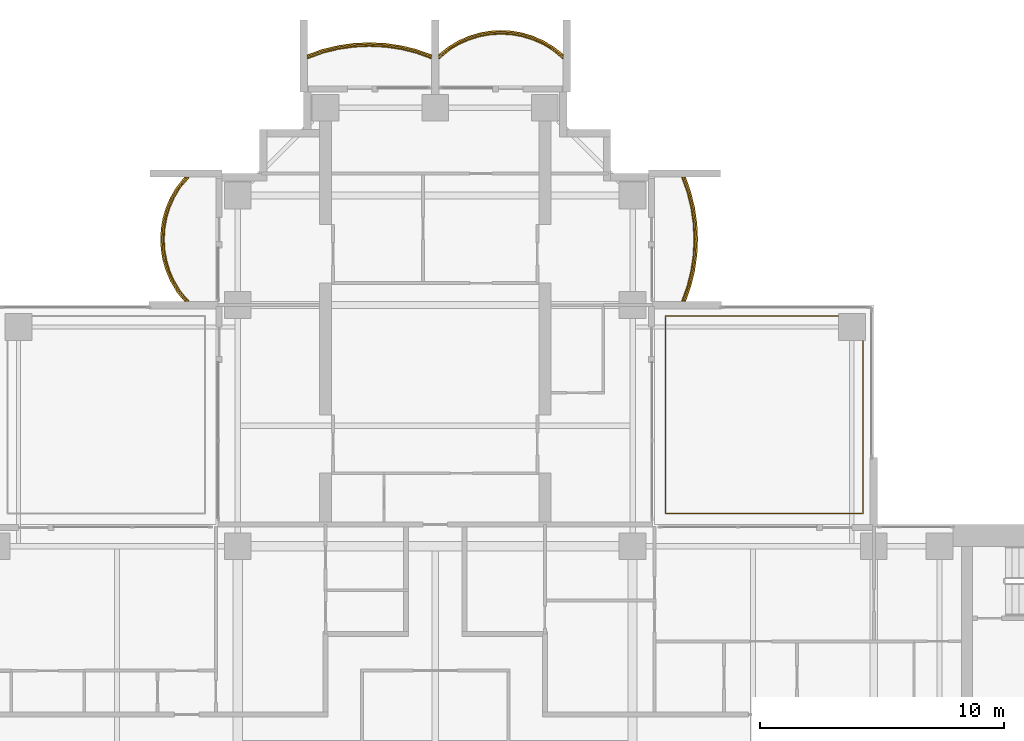
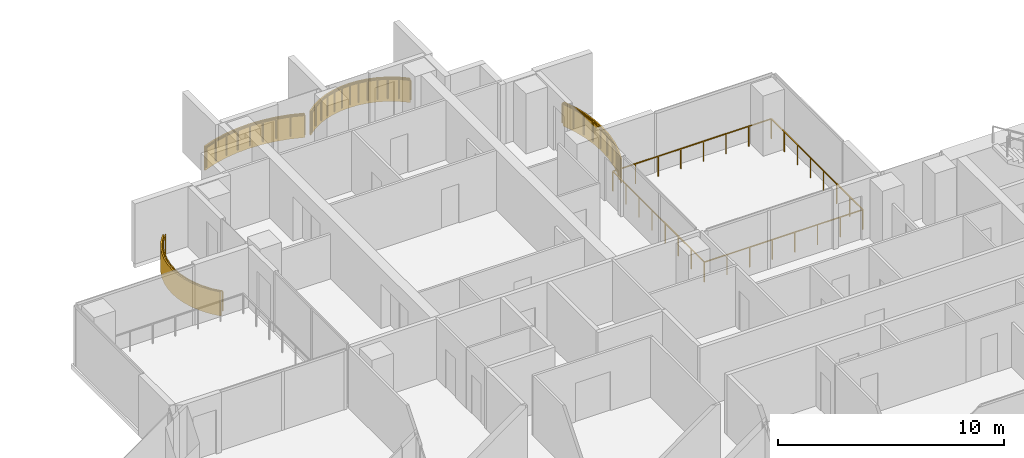
# One storey, part 18 of 18: 5 railings, 4 coverings.
"""IFC4 building model written with IfcOpenShell, lengths in metres."""

from ifc_helpers import new_model, si_unit, direction, frame, origin, origin_2d, place, context, subcontext, project, spatial, polyline, rectangle, outline, extrude, material, layer, layer_set, type_object, element, save


model = new_model("IFC4")

# Units and contexts
model_context = context("Model", 3, precision=1e-05, world=origin(), true_north=direction((0.0, 1.0)))
body_context = subcontext(model_context, "Body", "Model", "MODEL_VIEW")
ifc_project = project(units=[si_unit("LENGTHUNIT", "METRE"), si_unit("AREAUNIT", "SQUARE_METRE"), si_unit("VOLUMEUNIT", "CUBIC_METRE"), si_unit("PLANEANGLEUNIT", "RADIAN"), si_unit("MASSUNIT", "GRAM", prefix="KILO")], contexts=[model_context])

# Site, building, storey
site_placement = place(None, origin())
site = spatial("IfcSite", under=ifc_project, at=site_placement, CompositionType="ELEMENT")
building_placement = place(site_placement, origin())
building = spatial("IfcBuilding", under=site, at=building_placement, Name="Perihelion Cross Residences", CompositionType="ELEMENT")
storey_placement = place(building_placement, frame((0.0, 0.0, 130.39990234375)))
storey = spatial("IfcBuildingStorey", under=building, at=storey_placement, Name="L31", CompositionType="ELEMENT", Elevation=130.39990234375)

# Coverings
ifc_material_1 = material(Name="Bronze anodised aluminium", Category="aluminium")
ifc_layer = layer(ifc_material_1, 0.070068359375)
ifc_layer_set = layer_set([ifc_layer], Name="Balcony fascia 1300")
covering_type = type_object("IfcCoveringType", Name="Balcony fascia 1300", PredefinedType="CLADDING", material=ifc_layer_set)
covering_1_placement = place(storey_placement, frame((0.0, 0.0, -0.199951171875)))
element("IfcCovering", 1, at=covering_1_placement, inside=storey, type_object=covering_type, Name="Fascia BF1 L31 north side east bay 2", PredefinedType="CLADDING", context=body_context, shape_type="SweptSolid", body=[
    extrude(outline(polyline([(10.49072265625, 18.767578125), (10.647216796875, 19.411865234375), (10.739501953125, 20.055908203125), (10.77001953125, 20.699951171875), (10.739501953125, 21.34423828125), (10.647216796875, 21.98828125), (10.49072265625, 22.63232421875), (10.274169921875, 23.25), (10.199951171875, 23.25), (10.423583984375, 22.612548828125), (10.57861328125, 21.97509765625), (10.669921875, 21.33740234375), (10.699951171875, 20.699951171875), (10.669921875, 20.0625), (10.57861328125, 19.425048828125), (10.423583984375, 18.78759765625), (10.199951171875, 18.14990234375), (10.274169921875, 18.14990234375), (10.49072265625, 18.767578125)])), origin(), (0.0, 0.0, 1.0), 1.300048828125),
])
covering_2_placement = place(storey_placement, frame((0.0, 0.0, -0.199951171875)))
element("IfcCovering", 2, at=covering_2_placement, inside=storey, type_object=covering_type, Name="Fascia BF1 L31 north tip north bay 1", PredefinedType="CLADDING", context=body_context, shape_type="SweptSolid", body=[
    extrude(outline(polyline([(4.86474609375, 28.59765625), (4.431884765625, 28.85498046875), (3.998779296875, 29.04248046875), (3.56591796875, 29.170654296875), (3.133056640625, 29.245361328125), (2.699951171875, 29.27001953125), (2.26708984375, 29.245361328125), (1.833984375, 29.170654296875), (1.401123046875, 29.04248046875), (0.96826171875, 28.85498046875), (0.53515625, 28.59765625), (0.14990234375, 28.28955078125), (0.14990234375, 28.199951171875), (0.574951171875, 28.5400390625), (1.0, 28.792724609375), (1.425048828125, 28.9765625), (1.85009765625, 29.1025390625), (2.27490234375, 29.17578125), (2.699951171875, 29.199951171875), (3.125, 29.17578125), (3.550048828125, 29.1025390625), (3.97509765625, 28.9765625), (4.39990234375, 28.792724609375), (4.824951171875, 28.5400390625), (5.25, 28.199951171875), (5.25, 28.28955078125), (4.86474609375, 28.59765625)])), origin(), (0.0, 0.0, 1.0), 1.300048828125),
])
covering_3_placement = place(storey_placement, frame((0.0, 0.0, -0.199951171875)))
element("IfcCovering", 3, at=covering_3_placement, inside=storey, type_object=covering_type, Name="Fascia BF1 L31 north tip north bay 2", PredefinedType="CLADDING", context=body_context, shape_type="SweptSolid", body=[
    extrude(outline(polyline([(-0.767578125, 28.49072265625), (-1.411865234375, 28.647216796875), (-2.055908203125, 28.739501953125), (-2.699951171875, 28.77001953125), (-3.34423828125, 28.739501953125), (-3.98828125, 28.647216796875), (-4.63232421875, 28.49072265625), (-5.25, 28.274169921875), (-5.25, 28.199951171875), (-4.612548828125, 28.423583984375), (-3.97509765625, 28.57861328125), (-3.33740234375, 28.669921875), (-2.699951171875, 28.699951171875), (-2.0625, 28.669921875), (-1.425048828125, 28.57861328125), (-0.78759765625, 28.423583984375), (-0.14990234375, 28.199951171875), (-0.14990234375, 28.274169921875), (-0.767578125, 28.49072265625)])), origin(), (0.0, 0.0, 1.0), 1.300048828125),
])
covering_4_placement = place(storey_placement, frame((0.0, 0.0, -0.199951171875)))
element("IfcCovering", 4, at=covering_4_placement, inside=storey, type_object=covering_type, Name="Fascia BF1 L31 north side west bay 1", PredefinedType="CLADDING", context=body_context, shape_type="SweptSolid", body=[
    extrude(outline(polyline([(-10.59765625, 22.86474609375), (-10.85498046875, 22.431884765625), (-11.04248046875, 21.998779296875), (-11.170654296875, 21.56591796875), (-11.245361328125, 21.133056640625), (-11.27001953125, 20.699951171875), (-11.245361328125, 20.26708984375), (-11.170654296875, 19.833984375), (-11.04248046875, 19.401123046875), (-10.85498046875, 18.96826171875), (-10.59765625, 18.53515625), (-10.28955078125, 18.14990234375), (-10.199951171875, 18.14990234375), (-10.5400390625, 18.574951171875), (-10.792724609375, 19.0), (-10.9765625, 19.425048828125), (-11.1025390625, 19.85009765625), (-11.17578125, 20.27490234375), (-11.199951171875, 20.699951171875), (-11.17578125, 21.125), (-11.1025390625, 21.550048828125), (-10.9765625, 21.97509765625), (-10.792724609375, 22.39990234375), (-10.5400390625, 22.824951171875), (-10.199951171875, 23.25), (-10.28955078125, 23.25), (-10.59765625, 22.86474609375)])), origin(), (0.0, 0.0, 1.0), 1.300048828125),
])

# Railings
ifc_material_2 = material(Name="Bronze anodised aluminium", Category="aluminium")
railing_type = type_object("IfcRailingType", Name="Balcony guard 1100", PredefinedType="GUARDRAIL", material=ifc_material_2)
railing_1_placement = place(storey_placement, frame((10.139892578125, 18.175048828125, 0.0)))
element("IfcRailing", 5, at=railing_1_placement, inside=storey, type_object=railing_type, Name="Guard GU1 L31 north side east bay 2 balcony", PredefinedType="GUARDRAIL", context=body_context, shape_type="SweptSolid", body=[
    extrude(rectangle(XDim=0.048095703125, YDim=0.048095703125, at=origin_2d()), frame((0.0, 0.0, 1.076171875), z_axis=(0.342945217749, 0.939355405384, 0.0), x_axis=(-0.939355405384, 0.342945217749, 0.0)), (0.0, 0.0, 1.0), 0.652099609375),
    extrude(rectangle(XDim=0.048095703125, YDim=0.048095703125, at=origin_2d()), frame((0.2236328125, 0.612548828125, 1.076171875), z_axis=(0.236313594268, 0.971676841941, 0.0), x_axis=(-0.971676841941, 0.236313594268, 0.0)), (0.0, 0.0, 1.0), 0.656005859375),
    extrude(rectangle(XDim=0.048095703125, YDim=0.048095703125, at=origin_2d()), frame((0.378662109375, 1.25, 1.076171875), z_axis=(0.141792889142, 0.989896346386, 0.0), x_axis=(-0.989896346386, 0.141792889142, 0.0)), (0.0, 0.0, 1.0), 0.64404296875),
    extrude(rectangle(XDim=0.048095703125, YDim=0.048095703125, at=origin_2d()), frame((0.469970703125, 1.887451171875, 1.076171875), z_axis=(0.04705620296, 0.998892243319, 0.0), x_axis=(-0.998892243319, 0.04705620296, 0.0)), (0.0, 0.0, 1.0), 0.63818359375),
    extrude(rectangle(XDim=0.048095703125, YDim=0.048095703125, at=origin_2d()), frame((0.5, 2.52490234375, 1.076171875), z_axis=(-0.04705620296, 0.998892243319, 0.0), x_axis=(-0.998892243319, -0.04705620296, 0.0)), (0.0, 0.0, 1.0), 0.63818359375),
    extrude(rectangle(XDim=0.048095703125, YDim=0.048095703125, at=origin_2d()), frame((0.469970703125, 3.162353515625, 1.076171875), z_axis=(-0.141739694763, 0.989903964498, 0.0), x_axis=(-0.989903964498, -0.141739694763, 0.0)), (0.0, 0.0, 1.0), 0.644287109375),
    extrude(rectangle(XDim=0.048095703125, YDim=0.048095703125, at=origin_2d()), frame((0.378662109375, 3.800048828125, 1.076171875), z_axis=(-0.236313594268, 0.971676841941, 0.0), x_axis=(-0.971676841941, -0.236313594268, 0.0)), (0.0, 0.0, 1.0), 0.656005859375),
    extrude(rectangle(XDim=0.048095703125, YDim=0.048095703125, at=origin_2d()), frame((0.2236328125, 4.4375, 1.076171875), z_axis=(-0.342945217749, 0.939355405384, 0.0), x_axis=(-0.939355405384, -0.342945217749, 0.0)), (0.0, 0.0, 1.0), 0.652099609375),
    extrude(rectangle(XDim=0.0419921875, YDim=0.0419921875, at=origin_2d()), origin(), (0.0, 0.0, 1.0), 1.052001953125),
    extrude(rectangle(XDim=0.0419921875, YDim=0.0419921875, at=origin_2d()), frame((0.2236328125, 0.612548828125, 0.0)), (0.0, 0.0, 1.0), 1.052001953125),
    extrude(rectangle(XDim=0.0419921875, YDim=0.0419921875, at=origin_2d()), frame((0.378662109375, 1.25, 0.0)), (0.0, 0.0, 1.0), 1.052001953125),
    extrude(rectangle(XDim=0.0419921875, YDim=0.0419921875, at=origin_2d()), frame((0.469970703125, 1.887451171875, 0.0)), (0.0, 0.0, 1.0), 1.052001953125),
    extrude(rectangle(XDim=0.0419921875, YDim=0.0419921875, at=origin_2d()), frame((0.5, 2.52490234375, 0.0)), (0.0, 0.0, 1.0), 1.052001953125),
    extrude(rectangle(XDim=0.0419921875, YDim=0.0419921875, at=origin_2d()), frame((0.469970703125, 3.162353515625, 0.0)), (0.0, 0.0, 1.0), 1.052001953125),
    extrude(rectangle(XDim=0.0419921875, YDim=0.0419921875, at=origin_2d()), frame((0.378662109375, 3.800048828125, 0.0)), (0.0, 0.0, 1.0), 1.052001953125),
    extrude(rectangle(XDim=0.0419921875, YDim=0.0419921875, at=origin_2d()), frame((0.2236328125, 4.4375, 0.0)), (0.0, 0.0, 1.0), 1.052001953125),
    extrude(rectangle(XDim=0.0419921875, YDim=0.0419921875, at=origin_2d()), frame((0.0, 5.050048828125, 0.0)), (0.0, 0.0, 1.0), 1.052001953125),
])
railing_2_placement = place(storey_placement, frame((5.22509765625, 28.139892578125, 0.0)))
element("IfcRailing", 6, at=railing_2_placement, inside=storey, type_object=railing_type, Name="Guard GU1 L31 north tip north bay 1 balcony", PredefinedType="GUARDRAIL", context=body_context, shape_type="SweptSolid", body=[
    extrude(rectangle(XDim=0.048095703125, YDim=0.048095703125, at=origin_2d()), frame((0.0, 0.0, 1.076171875), z_axis=(-0.761973728849, 0.647607934281, 0.0), x_axis=(-0.647607934281, -0.761973728849, 0.0)), (0.0, 0.0, 1.0), 0.525146484375),
    extrude(rectangle(XDim=0.048095703125, YDim=0.048095703125, at=origin_2d()), frame((-0.400146484375, 0.340087890625, 1.076171875), z_axis=(-0.859576918062, 0.511006381501, 0.0), x_axis=(-0.511006381501, -0.859576918062, 0.0)), (0.0, 0.0, 1.0), 0.494384765625),
    extrude(rectangle(XDim=0.048095703125, YDim=0.048095703125, at=origin_2d()), frame((-0.8251953125, 0.5927734375, 1.076171875), z_axis=(-0.91755562531, 0.397607437634, 0.0), x_axis=(-0.397607437634, -0.91755562531, 0.0)), (0.0, 0.0, 1.0), 0.462890625),
    extrude(rectangle(XDim=0.048095703125, YDim=0.048095703125, at=origin_2d()), frame((-1.25, 0.77685546875, 1.076171875), z_axis=(-0.958925815697, 0.283656975924, 0.0), x_axis=(-0.283656975924, -0.958925815697, 0.0)), (0.0, 0.0, 1.0), 0.443359375),
    extrude(rectangle(XDim=0.048095703125, YDim=0.048095703125, at=origin_2d()), frame((-1.675048828125, 0.902587890625, 1.076171875), z_axis=(-0.985381583142, 0.17036177859, 0.0), x_axis=(-0.17036177859, -0.985381583142, 0.0)), (0.0, 0.0, 1.0), 0.431396484375),
    extrude(rectangle(XDim=0.048095703125, YDim=0.048095703125, at=origin_2d()), frame((-2.10009765625, 0.97607421875, 1.076171875), z_axis=(-0.9984195016, 0.056200523353, 0.0), x_axis=(-0.056200523353, -0.9984195016, 0.0)), (0.0, 0.0, 1.0), 0.42578125),
    extrude(rectangle(XDim=0.048095703125, YDim=0.048095703125, at=origin_2d()), frame((-2.525146484375, 1.0, 1.076171875), z_axis=(-0.9984195016, -0.056200523353, 0.0), x_axis=(0.056200523353, -0.9984195016, 0.0)), (0.0, 0.0, 1.0), 0.42578125),
    extrude(rectangle(XDim=0.048095703125, YDim=0.048095703125, at=origin_2d()), frame((-2.9501953125, 0.97607421875, 1.076171875), z_axis=(-0.985365142702, -0.170456843651, 0.0), x_axis=(0.170456843651, -0.985365142702, 0.0)), (0.0, 0.0, 1.0), 0.43115234375),
    extrude(rectangle(XDim=0.048095703125, YDim=0.048095703125, at=origin_2d()), frame((-3.375, 0.902587890625, 1.076171875), z_axis=(-0.958925815697, -0.283656975924, 0.0), x_axis=(0.283656975924, -0.958925815697, 0.0)), (0.0, 0.0, 1.0), 0.443359375),
    extrude(rectangle(XDim=0.048095703125, YDim=0.048095703125, at=origin_2d()), frame((-3.800048828125, 0.77685546875, 1.076171875), z_axis=(-0.917638931453, -0.397415137459, 0.0), x_axis=(0.397415137459, -0.917638931453, 0.0)), (0.0, 0.0, 1.0), 0.463134765625),
    extrude(rectangle(XDim=0.048095703125, YDim=0.048095703125, at=origin_2d()), frame((-4.22509765625, 0.5927734375, 1.076171875), z_axis=(-0.859576918062, -0.511006381501, 0.0), x_axis=(0.511006381501, -0.859576918062, 0.0)), (0.0, 0.0, 1.0), 0.494384765625),
    extrude(rectangle(XDim=0.048095703125, YDim=0.048095703125, at=origin_2d()), frame((-4.650146484375, 0.340087890625, 1.076171875), z_axis=(-0.761778647315, -0.647837396648, 0.0), x_axis=(0.647837396648, -0.761778647315, 0.0)), (0.0, 0.0, 1.0), 0.52490234375),
    extrude(rectangle(XDim=0.0419921875, YDim=0.0419921875, at=origin_2d()), origin(), (0.0, 0.0, 1.0), 1.052001953125),
    extrude(rectangle(XDim=0.0419921875, YDim=0.0419921875, at=origin_2d()), frame((-0.400146484375, 0.340087890625, 0.0)), (0.0, 0.0, 1.0), 1.052001953125),
    extrude(rectangle(XDim=0.0419921875, YDim=0.0419921875, at=origin_2d()), frame((-0.8251953125, 0.5927734375, 0.0)), (0.0, 0.0, 1.0), 1.052001953125),
    extrude(rectangle(XDim=0.0419921875, YDim=0.0419921875, at=origin_2d()), frame((-1.25, 0.77685546875, 0.0)), (0.0, 0.0, 1.0), 1.052001953125),
    extrude(rectangle(XDim=0.0419921875, YDim=0.0419921875, at=origin_2d()), frame((-1.675048828125, 0.902587890625, 0.0)), (0.0, 0.0, 1.0), 1.052001953125),
    extrude(rectangle(XDim=0.0419921875, YDim=0.0419921875, at=origin_2d()), frame((-2.10009765625, 0.97607421875, 0.0)), (0.0, 0.0, 1.0), 1.052001953125),
    extrude(rectangle(XDim=0.0419921875, YDim=0.0419921875, at=origin_2d()), frame((-2.525146484375, 1.0, 0.0)), (0.0, 0.0, 1.0), 1.052001953125),
    extrude(rectangle(XDim=0.0419921875, YDim=0.0419921875, at=origin_2d()), frame((-2.9501953125, 0.97607421875, 0.0)), (0.0, 0.0, 1.0), 1.052001953125),
    extrude(rectangle(XDim=0.0419921875, YDim=0.0419921875, at=origin_2d()), frame((-3.375, 0.902587890625, 0.0)), (0.0, 0.0, 1.0), 1.052001953125),
    extrude(rectangle(XDim=0.0419921875, YDim=0.0419921875, at=origin_2d()), frame((-3.800048828125, 0.77685546875, 0.0)), (0.0, 0.0, 1.0), 1.052001953125),
    extrude(rectangle(XDim=0.0419921875, YDim=0.0419921875, at=origin_2d()), frame((-4.22509765625, 0.5927734375, 0.0)), (0.0, 0.0, 1.0), 1.052001953125),
    extrude(rectangle(XDim=0.0419921875, YDim=0.0419921875, at=origin_2d()), frame((-4.650146484375, 0.340087890625, 0.0)), (0.0, 0.0, 1.0), 1.052001953125),
    extrude(rectangle(XDim=0.0419921875, YDim=0.0419921875, at=origin_2d()), frame((-5.050048828125, 0.0, 0.0)), (0.0, 0.0, 1.0), 1.052001953125),
])
railing_3_placement = place(storey_placement, frame((-0.175048828125, 28.139892578125, 0.0)))
element("IfcRailing", 7, at=railing_3_placement, inside=storey, type_object=railing_type, Name="Guard GU1 L31 north tip north bay 2 balcony", PredefinedType="GUARDRAIL", context=body_context, shape_type="SweptSolid", body=[
    extrude(rectangle(XDim=0.048095703125, YDim=0.048095703125, at=origin_2d()), frame((0.0, 0.0, 1.076171875), z_axis=(-0.939355405384, 0.342945217749, 0.0), x_axis=(-0.342945217749, -0.939355405384, 0.0)), (0.0, 0.0, 1.0), 0.652099609375),
    extrude(rectangle(XDim=0.048095703125, YDim=0.048095703125, at=origin_2d()), frame((-0.612548828125, 0.2236328125, 1.076171875), z_axis=(-0.971676841941, 0.236313594268, 0.0), x_axis=(-0.236313594268, -0.971676841941, 0.0)), (0.0, 0.0, 1.0), 0.656005859375),
    extrude(rectangle(XDim=0.048095703125, YDim=0.048095703125, at=origin_2d()), frame((-1.25, 0.378662109375, 1.076171875), z_axis=(-0.989896346386, 0.141792889142, 0.0), x_axis=(-0.141792889142, -0.989896346386, 0.0)), (0.0, 0.0, 1.0), 0.64404296875),
    extrude(rectangle(XDim=0.048095703125, YDim=0.048095703125, at=origin_2d()), frame((-1.887451171875, 0.469970703125, 1.076171875), z_axis=(-0.998892243319, 0.04705620296, 0.0), x_axis=(-0.04705620296, -0.998892243319, 0.0)), (0.0, 0.0, 1.0), 0.63818359375),
    extrude(rectangle(XDim=0.048095703125, YDim=0.048095703125, at=origin_2d()), frame((-2.52490234375, 0.5, 1.076171875), z_axis=(-0.998892243319, -0.04705620296, 0.0), x_axis=(0.04705620296, -0.998892243319, 0.0)), (0.0, 0.0, 1.0), 0.63818359375),
    extrude(rectangle(XDim=0.048095703125, YDim=0.048095703125, at=origin_2d()), frame((-3.162353515625, 0.469970703125, 1.076171875), z_axis=(-0.989903964498, -0.141739694763, 0.0), x_axis=(0.141739694763, -0.989903964498, 0.0)), (0.0, 0.0, 1.0), 0.644287109375),
    extrude(rectangle(XDim=0.048095703125, YDim=0.048095703125, at=origin_2d()), frame((-3.800048828125, 0.378662109375, 1.076171875), z_axis=(-0.971676841941, -0.236313594268, 0.0), x_axis=(0.236313594268, -0.971676841941, 0.0)), (0.0, 0.0, 1.0), 0.656005859375),
    extrude(rectangle(XDim=0.048095703125, YDim=0.048095703125, at=origin_2d()), frame((-4.4375, 0.2236328125, 1.076171875), z_axis=(-0.939355405384, -0.342945217749, 0.0), x_axis=(0.342945217749, -0.939355405384, 0.0)), (0.0, 0.0, 1.0), 0.652099609375),
    extrude(rectangle(XDim=0.0419921875, YDim=0.0419921875, at=origin_2d()), origin(), (0.0, 0.0, 1.0), 1.052001953125),
    extrude(rectangle(XDim=0.0419921875, YDim=0.0419921875, at=origin_2d()), frame((-0.612548828125, 0.2236328125, 0.0)), (0.0, 0.0, 1.0), 1.052001953125),
    extrude(rectangle(XDim=0.0419921875, YDim=0.0419921875, at=origin_2d()), frame((-1.25, 0.378662109375, 0.0)), (0.0, 0.0, 1.0), 1.052001953125),
    extrude(rectangle(XDim=0.0419921875, YDim=0.0419921875, at=origin_2d()), frame((-1.887451171875, 0.469970703125, 0.0)), (0.0, 0.0, 1.0), 1.052001953125),
    extrude(rectangle(XDim=0.0419921875, YDim=0.0419921875, at=origin_2d()), frame((-2.52490234375, 0.5, 0.0)), (0.0, 0.0, 1.0), 1.052001953125),
    extrude(rectangle(XDim=0.0419921875, YDim=0.0419921875, at=origin_2d()), frame((-3.162353515625, 0.469970703125, 0.0)), (0.0, 0.0, 1.0), 1.052001953125),
    extrude(rectangle(XDim=0.0419921875, YDim=0.0419921875, at=origin_2d()), frame((-3.800048828125, 0.378662109375, 0.0)), (0.0, 0.0, 1.0), 1.052001953125),
    extrude(rectangle(XDim=0.0419921875, YDim=0.0419921875, at=origin_2d()), frame((-4.4375, 0.2236328125, 0.0)), (0.0, 0.0, 1.0), 1.052001953125),
    extrude(rectangle(XDim=0.0419921875, YDim=0.0419921875, at=origin_2d()), frame((-5.050048828125, 0.0, 0.0)), (0.0, 0.0, 1.0), 1.052001953125),
])
railing_4_placement = place(storey_placement, frame((-10.139892578125, 23.22509765625, 0.0)))
element("IfcRailing", 8, at=railing_4_placement, inside=storey, type_object=railing_type, Name="Guard GU1 L31 north side west bay 1 balcony", PredefinedType="GUARDRAIL", context=body_context, shape_type="SweptSolid", body=[
    extrude(rectangle(XDim=0.048095703125, YDim=0.048095703125, at=origin_2d()), frame((0.0, 0.0, 1.076171875), z_axis=(-0.647607934281, -0.761973728849, 0.0), x_axis=(0.761973728849, -0.647607934281, 0.0)), (0.0, 0.0, 1.0), 0.525146484375),
    extrude(rectangle(XDim=0.048095703125, YDim=0.048095703125, at=origin_2d()), frame((-0.340087890625, -0.400146484375, 1.076171875), z_axis=(-0.511006381501, -0.859576918062, 0.0), x_axis=(0.859576918062, -0.511006381501, 0.0)), (0.0, 0.0, 1.0), 0.494384765625),
    extrude(rectangle(XDim=0.048095703125, YDim=0.048095703125, at=origin_2d()), frame((-0.5927734375, -0.8251953125, 1.076171875), z_axis=(-0.397607437634, -0.91755562531, 0.0), x_axis=(0.91755562531, -0.397607437634, 0.0)), (0.0, 0.0, 1.0), 0.462890625),
    extrude(rectangle(XDim=0.048095703125, YDim=0.048095703125, at=origin_2d()), frame((-0.77685546875, -1.25, 1.076171875), z_axis=(-0.283656975924, -0.958925815697, 0.0), x_axis=(0.958925815697, -0.283656975924, 0.0)), (0.0, 0.0, 1.0), 0.443359375),
    extrude(rectangle(XDim=0.048095703125, YDim=0.048095703125, at=origin_2d()), frame((-0.902587890625, -1.675048828125, 1.076171875), z_axis=(-0.17036177859, -0.985381583142, 0.0), x_axis=(0.985381583142, -0.17036177859, 0.0)), (0.0, 0.0, 1.0), 0.431396484375),
    extrude(rectangle(XDim=0.048095703125, YDim=0.048095703125, at=origin_2d()), frame((-0.97607421875, -2.10009765625, 1.076171875), z_axis=(-0.056200523353, -0.9984195016, 0.0), x_axis=(0.9984195016, -0.056200523353, 0.0)), (0.0, 0.0, 1.0), 0.42578125),
    extrude(rectangle(XDim=0.048095703125, YDim=0.048095703125, at=origin_2d()), frame((-1.0, -2.525146484375, 1.076171875), z_axis=(0.056200523353, -0.9984195016, 0.0), x_axis=(0.9984195016, 0.056200523353, 0.0)), (0.0, 0.0, 1.0), 0.42578125),
    extrude(rectangle(XDim=0.048095703125, YDim=0.048095703125, at=origin_2d()), frame((-0.97607421875, -2.9501953125, 1.076171875), z_axis=(0.170456843651, -0.985365142702, 0.0), x_axis=(0.985365142702, 0.170456843651, 0.0)), (0.0, 0.0, 1.0), 0.43115234375),
    extrude(rectangle(XDim=0.048095703125, YDim=0.048095703125, at=origin_2d()), frame((-0.902587890625, -3.375, 1.076171875), z_axis=(0.283656975924, -0.958925815697, 0.0), x_axis=(0.958925815697, 0.283656975924, 0.0)), (0.0, 0.0, 1.0), 0.443359375),
    extrude(rectangle(XDim=0.048095703125, YDim=0.048095703125, at=origin_2d()), frame((-0.77685546875, -3.800048828125, 1.076171875), z_axis=(0.397415137459, -0.917638931453, 0.0), x_axis=(0.917638931453, 0.397415137459, 0.0)), (0.0, 0.0, 1.0), 0.463134765625),
    extrude(rectangle(XDim=0.048095703125, YDim=0.048095703125, at=origin_2d()), frame((-0.5927734375, -4.22509765625, 1.076171875), z_axis=(0.511006381501, -0.859576918062, 0.0), x_axis=(0.859576918062, 0.511006381501, 0.0)), (0.0, 0.0, 1.0), 0.494384765625),
    extrude(rectangle(XDim=0.048095703125, YDim=0.048095703125, at=origin_2d()), frame((-0.340087890625, -4.650146484375, 1.076171875), z_axis=(0.647837396648, -0.761778647315, 0.0), x_axis=(0.761778647315, 0.647837396648, 0.0)), (0.0, 0.0, 1.0), 0.52490234375),
    extrude(rectangle(XDim=0.0419921875, YDim=0.0419921875, at=origin_2d()), origin(), (0.0, 0.0, 1.0), 1.052001953125),
    extrude(rectangle(XDim=0.0419921875, YDim=0.0419921875, at=origin_2d()), frame((-0.340087890625, -0.400146484375, 0.0)), (0.0, 0.0, 1.0), 1.052001953125),
    extrude(rectangle(XDim=0.0419921875, YDim=0.0419921875, at=origin_2d()), frame((-0.5927734375, -0.8251953125, 0.0)), (0.0, 0.0, 1.0), 1.052001953125),
    extrude(rectangle(XDim=0.0419921875, YDim=0.0419921875, at=origin_2d()), frame((-0.77685546875, -1.25, 0.0)), (0.0, 0.0, 1.0), 1.052001953125),
    extrude(rectangle(XDim=0.0419921875, YDim=0.0419921875, at=origin_2d()), frame((-0.902587890625, -1.675048828125, 0.0)), (0.0, 0.0, 1.0), 1.052001953125),
    extrude(rectangle(XDim=0.0419921875, YDim=0.0419921875, at=origin_2d()), frame((-0.97607421875, -2.10009765625, 0.0)), (0.0, 0.0, 1.0), 1.052001953125),
    extrude(rectangle(XDim=0.0419921875, YDim=0.0419921875, at=origin_2d()), frame((-1.0, -2.525146484375, 0.0)), (0.0, 0.0, 1.0), 1.052001953125),
    extrude(rectangle(XDim=0.0419921875, YDim=0.0419921875, at=origin_2d()), frame((-0.97607421875, -2.9501953125, 0.0)), (0.0, 0.0, 1.0), 1.052001953125),
    extrude(rectangle(XDim=0.0419921875, YDim=0.0419921875, at=origin_2d()), frame((-0.902587890625, -3.375, 0.0)), (0.0, 0.0, 1.0), 1.052001953125),
    extrude(rectangle(XDim=0.0419921875, YDim=0.0419921875, at=origin_2d()), frame((-0.77685546875, -3.800048828125, 0.0)), (0.0, 0.0, 1.0), 1.052001953125),
    extrude(rectangle(XDim=0.0419921875, YDim=0.0419921875, at=origin_2d()), frame((-0.5927734375, -4.22509765625, 0.0)), (0.0, 0.0, 1.0), 1.052001953125),
    extrude(rectangle(XDim=0.0419921875, YDim=0.0419921875, at=origin_2d()), frame((-0.340087890625, -4.650146484375, 0.0)), (0.0, 0.0, 1.0), 1.052001953125),
    extrude(rectangle(XDim=0.0419921875, YDim=0.0419921875, at=origin_2d()), frame((0.0, -5.050048828125, 0.0)), (0.0, 0.0, 1.0), 1.052001953125),
])
railing_5_placement = place(storey_placement, frame((17.550048828125, 9.449951171875, 0.0)))
element("IfcRailing", 9, at=railing_5_placement, inside=storey, type_object=railing_type, Name="Guard GU1 L31 pocket north-east 1", PredefinedType="GUARDRAIL", context=body_context, shape_type="SweptSolid", body=[
    extrude(rectangle(XDim=0.048095703125, YDim=0.048095703125, at=origin_2d()), frame((0.0, 0.0, 1.076171875), z_axis=(-1.0, 0.0, 0.0), x_axis=(0.0, -1.0, 0.0)), (0.0, 0.0, 1.0), 8.10009765625),
    extrude(rectangle(XDim=0.048095703125, YDim=0.048095703125, at=origin_2d()), frame((-8.10009765625, 0.0, 1.076171875), z_axis=(0.0, 1.0, 0.0), x_axis=(-1.0, 0.0, 0.0)), (0.0, 0.0, 1.0), 8.10009765625),
    extrude(rectangle(XDim=0.048095703125, YDim=0.048095703125, at=origin_2d()), frame((-8.10009765625, 8.10009765625, 1.076171875), z_axis=(1.0, 0.0, 0.0), x_axis=(0.0, 1.0, 0.0)), (0.0, 0.0, 1.0), 8.10009765625),
    extrude(rectangle(XDim=0.048095703125, YDim=0.048095703125, at=origin_2d()), frame((0.0, 8.10009765625, 1.076171875), z_axis=(0.0, -1.0, 0.0), x_axis=(1.0, 0.0, 0.0)), (0.0, 0.0, 1.0), 8.10009765625),
    extrude(rectangle(XDim=0.0419921875, YDim=0.0419921875, at=origin_2d()), origin(), (0.0, 0.0, 1.0), 1.052001953125),
    extrude(rectangle(XDim=0.0419921875, YDim=0.0419921875, at=origin_2d()), frame((-1.1572265625, 0.0, 0.0)), (0.0, 0.0, 1.0), 1.052001953125),
    extrude(rectangle(XDim=0.0419921875, YDim=0.0419921875, at=origin_2d()), frame((-2.314208984375, 0.0, 0.0)), (0.0, 0.0, 1.0), 1.052001953125),
    extrude(rectangle(XDim=0.0419921875, YDim=0.0419921875, at=origin_2d()), frame((-3.471435546875, 0.0, 0.0)), (0.0, 0.0, 1.0), 1.052001953125),
    extrude(rectangle(XDim=0.0419921875, YDim=0.0419921875, at=origin_2d()), frame((-4.628662109375, 0.0, 0.0)), (0.0, 0.0, 1.0), 1.052001953125),
    extrude(rectangle(XDim=0.0419921875, YDim=0.0419921875, at=origin_2d()), frame((-5.785888671875, 0.0, 0.0)), (0.0, 0.0, 1.0), 1.052001953125),
    extrude(rectangle(XDim=0.0419921875, YDim=0.0419921875, at=origin_2d()), frame((-6.94287109375, 0.0, 0.0)), (0.0, 0.0, 1.0), 1.052001953125),
    extrude(rectangle(XDim=0.0419921875, YDim=0.0419921875, at=origin_2d()), frame((-8.10009765625, 0.0, 0.0)), (0.0, 0.0, 1.0), 1.052001953125),
    extrude(rectangle(XDim=0.0419921875, YDim=0.0419921875, at=origin_2d()), frame((-8.10009765625, 1.1572265625, 0.0)), (0.0, 0.0, 1.0), 1.052001953125),
    extrude(rectangle(XDim=0.0419921875, YDim=0.0419921875, at=origin_2d()), frame((-8.10009765625, 2.314208984375, 0.0)), (0.0, 0.0, 1.0), 1.052001953125),
    extrude(rectangle(XDim=0.0419921875, YDim=0.0419921875, at=origin_2d()), frame((-8.10009765625, 3.471435546875, 0.0)), (0.0, 0.0, 1.0), 1.052001953125),
    extrude(rectangle(XDim=0.0419921875, YDim=0.0419921875, at=origin_2d()), frame((-8.10009765625, 4.628662109375, 0.0)), (0.0, 0.0, 1.0), 1.052001953125),
    extrude(rectangle(XDim=0.0419921875, YDim=0.0419921875, at=origin_2d()), frame((-8.10009765625, 5.785888671875, 0.0)), (0.0, 0.0, 1.0), 1.052001953125),
    extrude(rectangle(XDim=0.0419921875, YDim=0.0419921875, at=origin_2d()), frame((-8.10009765625, 6.94287109375, 0.0)), (0.0, 0.0, 1.0), 1.052001953125),
    extrude(rectangle(XDim=0.0419921875, YDim=0.0419921875, at=origin_2d()), frame((-8.10009765625, 8.10009765625, 0.0)), (0.0, 0.0, 1.0), 1.052001953125),
    extrude(rectangle(XDim=0.0419921875, YDim=0.0419921875, at=origin_2d()), frame((-6.94287109375, 8.10009765625, 0.0)), (0.0, 0.0, 1.0), 1.052001953125),
    extrude(rectangle(XDim=0.0419921875, YDim=0.0419921875, at=origin_2d()), frame((-5.785888671875, 8.10009765625, 0.0)), (0.0, 0.0, 1.0), 1.052001953125),
    extrude(rectangle(XDim=0.0419921875, YDim=0.0419921875, at=origin_2d()), frame((-4.628662109375, 8.10009765625, 0.0)), (0.0, 0.0, 1.0), 1.052001953125),
    extrude(rectangle(XDim=0.0419921875, YDim=0.0419921875, at=origin_2d()), frame((-3.471435546875, 8.10009765625, 0.0)), (0.0, 0.0, 1.0), 1.052001953125),
    extrude(rectangle(XDim=0.0419921875, YDim=0.0419921875, at=origin_2d()), frame((-2.314208984375, 8.10009765625, 0.0)), (0.0, 0.0, 1.0), 1.052001953125),
    extrude(rectangle(XDim=0.0419921875, YDim=0.0419921875, at=origin_2d()), frame((-1.1572265625, 8.10009765625, 0.0)), (0.0, 0.0, 1.0), 1.052001953125),
    extrude(rectangle(XDim=0.0419921875, YDim=0.0419921875, at=origin_2d()), frame((0.0, 8.10009765625, 0.0)), (0.0, 0.0, 1.0), 1.052001953125),
    extrude(rectangle(XDim=0.0419921875, YDim=0.0419921875, at=origin_2d()), frame((0.0, 6.94287109375, 0.0)), (0.0, 0.0, 1.0), 1.052001953125),
    extrude(rectangle(XDim=0.0419921875, YDim=0.0419921875, at=origin_2d()), frame((0.0, 5.785888671875, 0.0)), (0.0, 0.0, 1.0), 1.052001953125),
    extrude(rectangle(XDim=0.0419921875, YDim=0.0419921875, at=origin_2d()), frame((0.0, 4.628662109375, 0.0)), (0.0, 0.0, 1.0), 1.052001953125),
    extrude(rectangle(XDim=0.0419921875, YDim=0.0419921875, at=origin_2d()), frame((0.0, 3.471435546875, 0.0)), (0.0, 0.0, 1.0), 1.052001953125),
    extrude(rectangle(XDim=0.0419921875, YDim=0.0419921875, at=origin_2d()), frame((0.0, 2.314208984375, 0.0)), (0.0, 0.0, 1.0), 1.052001953125),
    extrude(rectangle(XDim=0.0419921875, YDim=0.0419921875, at=origin_2d()), frame((0.0, 1.1572265625, 0.0)), (0.0, 0.0, 1.0), 1.052001953125),
])

save(model, "model.ifc")
